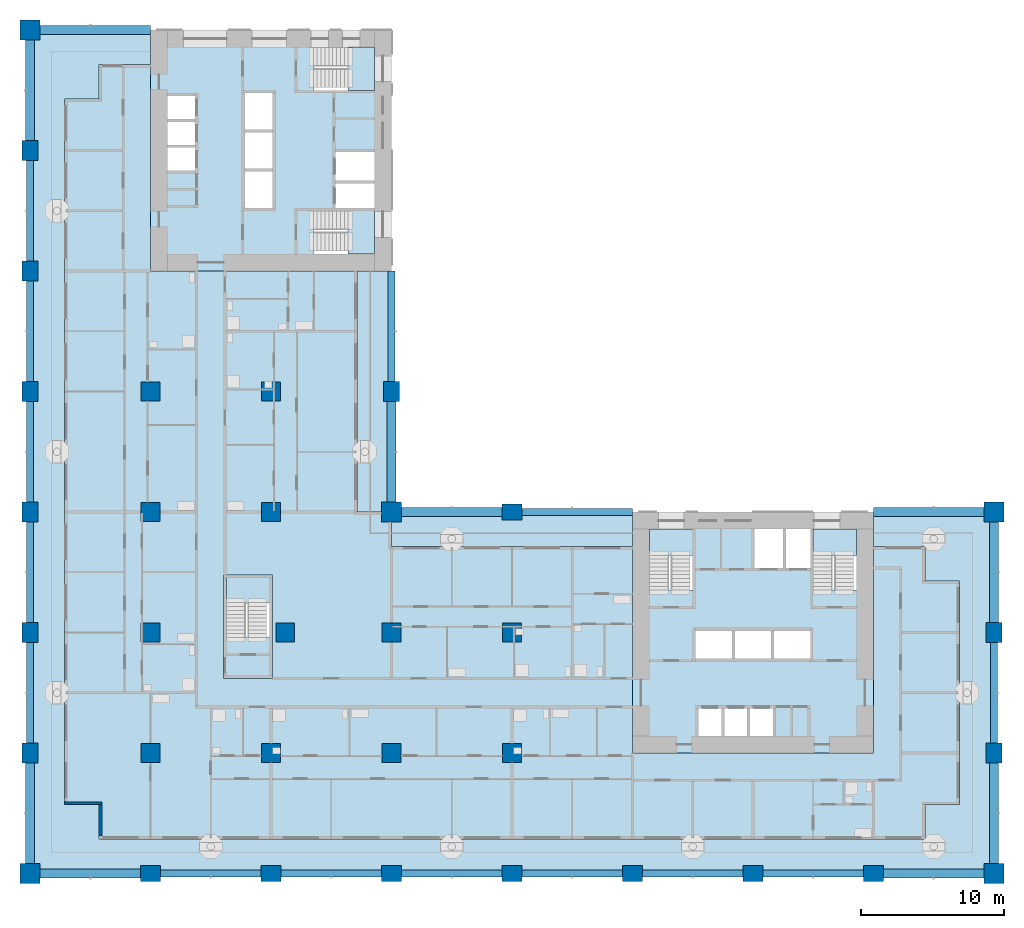
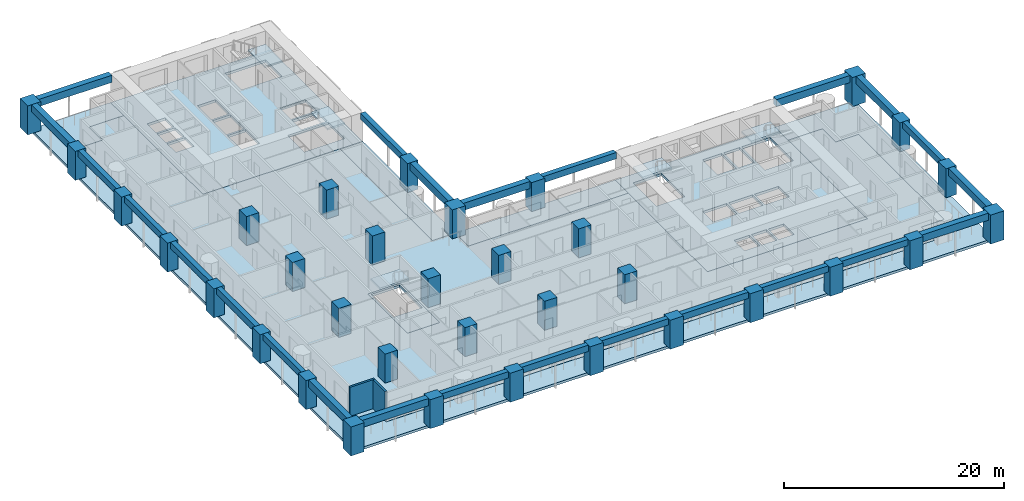
# One storey, part 1 of 20: 34 columns, 24 beams, 12 slabs, 2 walls, 5 elements without a shape of their own.
"""IFC4 building model written with IfcOpenShell, lengths in metres."""

from ifc_helpers import new_model, si_unit, direction, frame, frame_2d, origin, origin_2d, place, context, subcontext, project, spatial, polyline, rectangle, outline, extrude, material, layer, layer_set, material_profile, profile_set, type_object, element, aggregate, save


model = new_model("IFC4")

# Units and contexts
model_context = context("Model", 3, precision=1e-05, world=origin(), true_north=direction((0.0, 1.0)))
body_context = subcontext(model_context, "Body", "Model", "MODEL_VIEW")
ifc_project = project(units=[si_unit("LENGTHUNIT", "METRE"), si_unit("AREAUNIT", "SQUARE_METRE"), si_unit("VOLUMEUNIT", "CUBIC_METRE"), si_unit("PLANEANGLEUNIT", "RADIAN"), si_unit("MASSUNIT", "GRAM", prefix="KILO")], contexts=[model_context])

# Site, building, storey
site_placement = place(None, origin())
site = spatial("IfcSite", under=ifc_project, at=site_placement, CompositionType="ELEMENT")
building_placement = place(site_placement, origin())
building = spatial("IfcBuilding", under=site, at=building_placement, Name="Vermilion Gate Residences", CompositionType="ELEMENT")
storey_placement = place(building_placement, frame((0.0, 0.0, 39.199951171875)))
storey = spatial("IfcBuildingStorey", under=building, at=storey_placement, Name="L08", CompositionType="ELEMENT", Elevation=39.199951171875)

# Columns
ifc_material_1 = material(Name="Concrete C80", Category="concrete")
ifc_material_profile_1 = material_profile(ifc_material_1, rectangle(XDim=1.300048828125, YDim=1.300048828125, at=origin_2d()), Name="RC-1300x1300")
ifc_profile_set_1 = profile_set([ifc_material_profile_1], Name="Concrete C80")
column_type_1 = type_object("IfcColumnType", Name="RC COLUMN 1300 X 1300 C80", PredefinedType="COLUMN", material=ifc_profile_set_1)
for number, where, z_axis, x_axis, name in (
    (1, (8.39990234375, 8.39990234375, 0.0), (0.0, 0.0, 1.0), (1.0, 0.0, 0.0), "Column 2-B L08"),
    (2, (8.39990234375, 16.800048828125, 0.0), (0.0, 0.0, 1.0), (1.0, 0.0, 0.0), "Column 2-C L08"),
    (3, (8.39990234375, 25.199951171875, 0.0), (0.0, 0.0, 1.0), (1.0, 0.0, 0.0), "Column 2-D L08"),
    (4, (8.39990234375, 33.60009765625, 0.0), (0.0, 0.0, 1.0), (1.0, 0.0, 0.0), "Column 2-E L08"),
    (5, (16.800048828125, 8.39990234375, 0.0), (0.0, 0.0, 1.0), (1.0, 0.0, 0.0), "Column 3-B L08"),
    (6, (17.800048828125, 16.800048828125, 0.0), (0.0, 0.0, 1.0), (1.0, 0.0, 0.0), "Column 3-C L08"),
    (7, (16.800048828125, 25.199951171875, 0.0), (0.0, 0.0, 1.0), (1.0, 0.0, 0.0), "Column 3-D L08"),
    (8, (16.800048828125, 33.60009765625, 0.0), (0.0, 0.0, 1.0), (1.0, 0.0, 0.0), "Column 3-E L08"),
    (9, (25.199951171875, 8.39990234375, 0.0), (0.0, 0.0, 1.0), (1.0, 0.0, 0.0), "Column 4-B L08"),
    (10, (25.199951171875, 16.800048828125, 0.0), (0.0, 0.0, 1.0), (1.0, 0.0, 0.0), "Column 4-C L08"),
    (11, (33.60009765625, 8.39990234375, 0.0), (0.0, 0.0, 1.0), (1.0, 0.0, 0.0), "Column 5-B L08"),
    (12, (33.60009765625, 16.800048828125, 0.0), (0.0, 0.0, 1.0), (1.0, 0.0, 0.0), "Column 5-C L08"),
):
    element("IfcColumn", number, at=place(storey_placement, frame(where, z_axis=z_axis, x_axis=x_axis)), inside=storey, type_object=column_type_1, Name=name, PredefinedType="COLUMN", context=body_context, shape_type="SweptSolid", body=[
        extrude(rectangle(XDim=1.300048828125, YDim=1.300048828125, at=origin_2d()), origin(), (0.0, 0.0, 1.0), 3.219970703125),
    ])
ifc_material_2 = material(Name="Concrete C80", Category="concrete")
ifc_material_profile_2 = material_profile(ifc_material_2, rectangle(XDim=1.39990234375, YDim=1.10009765625, at=origin_2d()), Name="RC-1400x1100")
ifc_profile_set_2 = profile_set([ifc_material_profile_2], Name="Concrete C80")
column_type_2 = type_object("IfcColumnType", Name="RC COLUMN 1400 X 1100 C80", PredefinedType="COLUMN", material=ifc_profile_set_2)
for number, where, z_axis, x_axis, name in (
    (13, (0.0, 8.39990234375, 0.0), (0.0, 0.0, 1.0), (0.0, 1.0, 0.0), "Column 1-B L08"),
    (14, (0.0, 16.800048828125, 0.0), (0.0, 0.0, 1.0), (0.0, 1.0, 0.0), "Column 1-C L08"),
    (15, (0.0, 25.199951171875, 0.0), (0.0, 0.0, 1.0), (0.0, 1.0, 0.0), "Column 1-D L08"),
    (16, (0.0, 33.60009765625, 0.0), (0.0, 0.0, 1.0), (0.0, 1.0, 0.0), "Column 1-E L08"),
    (17, (0.0, 42.0, 0.0), (0.0, 0.0, 1.0), (0.0, 1.0, 0.0), "Column 1-F L08"),
    (18, (0.0, 50.39990234375, 0.0), (0.0, 0.0, 1.0), (0.0, 1.0, 0.0), "Column 1-G L08"),
    (19, (8.39990234375, 0.0, 0.0), (0.0, 0.0, 1.0), (1.0, 0.0, 0.0), "Column 2-A L08"),
    (20, (16.800048828125, 0.0, 0.0), (0.0, 0.0, 1.0), (1.0, 0.0, 0.0), "Column 3-A L08"),
    (21, (25.199951171875, 0.0, 0.0), (0.0, 0.0, 1.0), (1.0, 0.0, 0.0), "Column 4-A L08"),
    (22, (25.199951171875, 33.60009765625, 0.0), (0.0, 0.0, 1.0), (0.0, 1.0, 0.0), "Column 4-E L08"),
    (23, (33.60009765625, 0.0, 0.0), (0.0, 0.0, 1.0), (1.0, 0.0, 0.0), "Column 5-A L08"),
    (24, (33.60009765625, 25.199951171875, 0.0), (0.0, 0.0, 1.0), (1.0, 0.0, 0.0), "Column 5-D L08"),
    (25, (42.0, 0.0, 0.0), (0.0, 0.0, 1.0), (1.0, 0.0, 0.0), "Column 6-A L08"),
    (26, (50.39990234375, 0.0, 0.0), (0.0, 0.0, 1.0), (1.0, 0.0, 0.0), "Column 7-A L08"),
    (27, (58.800048828125, 0.0, 0.0), (0.0, 0.0, 1.0), (1.0, 0.0, 0.0), "Column 8-A L08"),
    (28, (67.199951171875, 8.39990234375, 0.0), (0.0, 0.0, 1.0), (0.0, 1.0, 0.0), "Column 9-B L08"),
    (29, (67.199951171875, 16.800048828125, 0.0), (0.0, 0.0, 1.0), (0.0, 1.0, 0.0), "Column 9-C L08"),
):
    element("IfcColumn", number, at=place(storey_placement, frame(where, z_axis=z_axis, x_axis=x_axis)), inside=storey, type_object=column_type_2, Name=name, PredefinedType="COLUMN", context=body_context, shape_type="SweptSolid", body=[
        extrude(rectangle(XDim=1.39990234375, YDim=1.10009765625, at=origin_2d()), origin(), (0.0, 0.0, 1.0), 3.219970703125),
    ])
ifc_material_3 = material(Name="Concrete C80", Category="concrete")
ifc_material_profile_3 = material_profile(ifc_material_3, rectangle(XDim=1.39990234375, YDim=1.39990234375, at=origin_2d()), Name="RC-1400x1400")
ifc_profile_set_3 = profile_set([ifc_material_profile_3], Name="Concrete C80")
column_type_3 = type_object("IfcColumnType", Name="RC COLUMN 1400 X 1400 C80", PredefinedType="COLUMN", material=ifc_profile_set_3)
for number, where, z_axis, x_axis, name in (
    (30, (0.0, 0.0, 0.0), (0.0, 0.0, 1.0), (1.0, 0.0, 0.0), "Column 1-A L08"),
    (31, (0.0, 58.800048828125, 0.0), (0.0, 0.0, 1.0), (1.0, 0.0, 0.0), "Column 1-H L08"),
    (32, (25.199951171875, 25.199951171875, 0.0), (0.0, 0.0, 1.0), (1.0, 0.0, 0.0), "Column 4-D L08"),
    (33, (67.199951171875, 0.0, 0.0), (0.0, 0.0, 1.0), (1.0, 0.0, 0.0), "Column 9-A L08"),
    (34, (67.199951171875, 25.199951171875, 0.0), (0.0, 0.0, 1.0), (1.0, 0.0, 0.0), "Column 9-D L08"),
):
    element("IfcColumn", number, at=place(storey_placement, frame(where, z_axis=z_axis, x_axis=x_axis)), inside=storey, type_object=column_type_3, Name=name, PredefinedType="COLUMN", context=body_context, shape_type="SweptSolid", body=[
        extrude(rectangle(XDim=1.39990234375, YDim=1.39990234375, at=origin_2d()), origin(), (0.0, 0.0, 1.0), 3.219970703125),
    ])

# Beams
ifc_material_4 = material(Name="Concrete C60 red-oxide pigmented", Category="concrete")
ifc_material_profile_4 = material_profile(ifc_material_4, rectangle(XDim=0.60009765625, YDim=0.800048828125, at=origin_2d()), Name="RC-600x800")
ifc_profile_set_4 = profile_set([ifc_material_profile_4], Name="Concrete C60 red-oxide pigmented")
beam_type_1 = type_object("IfcBeamType", Name="RC CORNER EDGE BEAM 600 X 800 C60", PredefinedType="BEAM", material=ifc_profile_set_4)
for number, where, z_axis, x_axis, name in (
    (35, (0.699951171875, 0.0, 2.820068359375), (1.0, 0.0, 0.0), (0.0, 1.0, 0.0), "Corner edge beam L08 1"),
    (36, (0.0, 0.699951171875, 2.820068359375), (0.0, 1.0, 0.0), (-1.0, 0.0, 0.0), "Corner edge beam L08 2"),
):
    element("IfcBeam", number, at=place(storey_placement, frame(where, z_axis=z_axis, x_axis=x_axis)), inside=storey, type_object=beam_type_1, Name=name, PredefinedType="BEAM", context=body_context, shape_type="SweptSolid", body=[
        extrude(rectangle(XDim=0.60009765625, YDim=0.800048828125, at=origin_2d()), origin(), (0.0, 0.0, 1.0), 7.0),
    ])
beam_1_placement = place(storey_placement, frame((0.699951171875, 58.800048828125, 2.820068359375), z_axis=(1.0, 0.0, 0.0), x_axis=(0.0, 1.0, 0.0)))
element("IfcBeam", 37, at=beam_1_placement, inside=storey, type_object=beam_type_1, Name="Corner edge beam L08 8", PredefinedType="BEAM", context=body_context, shape_type="SweptSolid", body=[
    extrude(rectangle(XDim=0.60009765625, YDim=0.800048828125, at=origin_2d()), origin(), (0.0, 0.0, 1.0), 7.699951171875),
])
for number, where, z_axis, x_axis, name in (
    (38, (0.0, 51.10009765625, 2.820068359375), (0.0, 1.0, 0.0), (-1.0, 0.0, 0.0), "Corner edge beam L08 9"),
    (39, (25.199951171875, 25.89990234375, 2.820068359375), (0.0, 1.0, 0.0), (-1.0, 0.0, 0.0), "Corner edge beam L08 12"),
    (40, (25.89990234375, 25.199951171875, 2.820068359375), (1.0, 0.0, 0.0), (0.0, 1.0, 0.0), "Corner edge beam L08 15"),
    (41, (59.5, 0.0, 2.820068359375), (1.0, 0.0, 0.0), (0.0, 1.0, 0.0), "Corner edge beam L08 20"),
    (42, (67.199951171875, 0.699951171875, 2.820068359375), (0.0, 1.0, 0.0), (-1.0, 0.0, 0.0), "Corner edge beam L08 21"),
    (43, (67.199951171875, 17.5, 2.820068359375), (0.0, 1.0, 0.0), (-1.0, 0.0, 0.0), "Corner edge beam L08 23"),
):
    element("IfcBeam", number, at=place(storey_placement, frame(where, z_axis=z_axis, x_axis=x_axis)), inside=storey, type_object=beam_type_1, Name=name, PredefinedType="BEAM", context=body_context, shape_type="SweptSolid", body=[
        extrude(rectangle(XDim=0.60009765625, YDim=0.800048828125, at=origin_2d()), origin(), (0.0, 0.0, 1.0), 7.0),
    ])
beam_2_placement = place(storey_placement, frame((58.800048828125, 25.199951171875, 2.820068359375), z_axis=(1.0, 0.0, 0.0), x_axis=(0.0, 1.0, 0.0)))
element("IfcBeam", 44, at=beam_2_placement, inside=storey, type_object=beam_type_1, Name="Corner edge beam L08 24", PredefinedType="BEAM", context=body_context, shape_type="SweptSolid", body=[
    extrude(rectangle(XDim=0.60009765625, YDim=0.800048828125, at=origin_2d()), origin(), (0.0, 0.0, 1.0), 7.699951171875),
])
ifc_material_5 = material(Name="Concrete C60 red-oxide pigmented", Category="concrete")
ifc_material_profile_5 = material_profile(ifc_material_5, rectangle(XDim=0.5, YDim=0.699951171875, at=origin_2d()), Name="RC-500x700")
ifc_profile_set_5 = profile_set([ifc_material_profile_5], Name="Concrete C60 red-oxide pigmented")
beam_type_2 = type_object("IfcBeamType", Name="RC EDGE BEAM 500 X 700 C60", PredefinedType="BEAM", material=ifc_profile_set_5)
for number, where, z_axis, x_axis, name in (
    (45, (0.0, 9.10009765625, 2.8701171875), (0.0, 1.0, 0.0), (-1.0, 0.0, 0.0), "Edge beam L08 3"),
    (46, (0.0, 17.5, 2.8701171875), (0.0, 1.0, 0.0), (-1.0, 0.0, 0.0), "Edge beam L08 4"),
    (47, (0.0, 25.89990234375, 2.8701171875), (0.0, 1.0, 0.0), (-1.0, 0.0, 0.0), "Edge beam L08 5"),
    (48, (0.0, 34.300048828125, 2.8701171875), (0.0, 1.0, 0.0), (-1.0, 0.0, 0.0), "Edge beam L08 6"),
    (49, (0.0, 42.699951171875, 2.8701171875), (0.0, 1.0, 0.0), (-1.0, 0.0, 0.0), "Edge beam L08 7"),
    (50, (9.10009765625, 0.0, 2.8701171875), (1.0, 0.0, 0.0), (0.0, 1.0, 0.0), "Edge beam L08 10"),
    (51, (17.5, 0.0, 2.8701171875), (1.0, 0.0, 0.0), (0.0, 1.0, 0.0), "Edge beam L08 11"),
):
    element("IfcBeam", number, at=place(storey_placement, frame(where, z_axis=z_axis, x_axis=x_axis)), inside=storey, type_object=beam_type_2, Name=name, PredefinedType="BEAM", context=body_context, shape_type="SweptSolid", body=[
        extrude(rectangle(XDim=0.5, YDim=0.699951171875, at=origin_2d()), origin(), (0.0, 0.0, 1.0), 7.0),
    ])
beam_3_placement = place(storey_placement, frame((25.199951171875, 34.300048828125, 2.8701171875), z_axis=(0.0, 1.0, 0.0), x_axis=(-1.0, 0.0, 0.0)))
element("IfcBeam", 52, at=beam_3_placement, inside=storey, type_object=beam_type_2, Name="Edge beam L08 13", PredefinedType="BEAM", context=body_context, shape_type="SweptSolid", body=[
    extrude(rectangle(XDim=0.5, YDim=0.699951171875, at=origin_2d()), origin(), (0.0, 0.0, 1.0), 7.699951171875),
])
for number, where, z_axis, x_axis, name in (
    (53, (25.89990234375, 0.0, 2.8701171875), (1.0, 0.0, 0.0), (0.0, 1.0, 0.0), "Edge beam L08 14"),
    (54, (34.300048828125, 0.0, 2.8701171875), (1.0, 0.0, 0.0), (0.0, 1.0, 0.0), "Edge beam L08 16"),
):
    element("IfcBeam", number, at=place(storey_placement, frame(where, z_axis=z_axis, x_axis=x_axis)), inside=storey, type_object=beam_type_2, Name=name, PredefinedType="BEAM", context=body_context, shape_type="SweptSolid", body=[
        extrude(rectangle(XDim=0.5, YDim=0.699951171875, at=origin_2d()), origin(), (0.0, 0.0, 1.0), 7.0),
    ])
beam_4_placement = place(storey_placement, frame((34.300048828125, 25.199951171875, 2.8701171875), z_axis=(1.0, 0.0, 0.0), x_axis=(0.0, 1.0, 0.0)))
element("IfcBeam", 55, at=beam_4_placement, inside=storey, type_object=beam_type_2, Name="Edge beam L08 17", PredefinedType="BEAM", context=body_context, shape_type="SweptSolid", body=[
    extrude(rectangle(XDim=0.5, YDim=0.699951171875, at=origin_2d()), origin(), (0.0, 0.0, 1.0), 7.699951171875),
])
for number, where, z_axis, x_axis, name in (
    (56, (42.699951171875, 0.0, 2.8701171875), (1.0, 0.0, 0.0), (0.0, 1.0, 0.0), "Edge beam L08 18"),
    (57, (51.10009765625, 0.0, 2.8701171875), (1.0, 0.0, 0.0), (0.0, 1.0, 0.0), "Edge beam L08 19"),
    (58, (67.199951171875, 9.10009765625, 2.8701171875), (0.0, 1.0, 0.0), (-1.0, 0.0, 0.0), "Edge beam L08 22"),
):
    element("IfcBeam", number, at=place(storey_placement, frame(where, z_axis=z_axis, x_axis=x_axis)), inside=storey, type_object=beam_type_2, Name=name, PredefinedType="BEAM", context=body_context, shape_type="SweptSolid", body=[
        extrude(rectangle(XDim=0.5, YDim=0.699951171875, at=origin_2d()), origin(), (0.0, 0.0, 1.0), 7.0),
    ])

# Slabs
ifc_material_6 = material(Name="Concrete C50", Category="concrete")
ifc_layer_1 = layer(ifc_material_6, 0.280029296875)
ifc_layer_set_1 = layer_set([ifc_layer_1], Name="RC CORE FLOOR SLAB 280 C50")
slab_type_1 = type_object("IfcSlabType", Name="RC CORE FLOOR SLAB 280 C50", PredefinedType="FLOOR", material=ifc_layer_set_1)
slab_1_placement = place(storey_placement, frame((0.0, 0.0, -0.280029296875)))
element("IfcSlab", 59, at=slab_1_placement, inside=storey, type_object=slab_type_1, Name="Core floor slab A08", PredefinedType="FLOOR", context=body_context, shape_type="SweptSolid", body=[
    extrude(outline(polyline([(42.0, 8.39990234375), (58.800048828125, 8.39990234375), (58.800048828125, 25.199951171875), (42.0, 25.199951171875), (42.0, 8.39990234375)]), holes=[polyline([(46.60009765625, 11.5), (48.199951171875, 11.5), (48.199951171875, 9.60009765625), (46.60009765625, 9.60009765625), (46.60009765625, 11.5)]), polyline([(48.39990234375, 11.5), (50.0, 11.5), (50.0, 9.60009765625), (48.39990234375, 9.60009765625), (48.39990234375, 11.5)]), polyline([(50.199951171875, 11.5), (51.800048828125, 11.5), (51.800048828125, 9.60009765625), (50.199951171875, 9.60009765625), (50.199951171875, 11.5)]), polyline([(48.933349609375, 16.89990234375), (48.933349609375, 15.0), (46.39990234375, 15.0), (46.39990234375, 16.89990234375), (48.933349609375, 16.89990234375)]), polyline([(51.666748046875, 16.89990234375), (51.666748046875, 15.0), (49.13330078125, 15.0), (49.13330078125, 16.89990234375), (51.666748046875, 16.89990234375)]), polyline([(51.86669921875, 16.89990234375), (54.39990234375, 16.89990234375), (54.39990234375, 15.0), (51.86669921875, 15.0), (51.86669921875, 16.89990234375)]), polyline([(43.199951171875, 24.0), (46.199951171875, 24.0), (46.199951171875, 19.75), (43.199951171875, 19.75), (43.199951171875, 24.0)]), polyline([(54.60009765625, 24.0), (57.60009765625, 24.0), (57.60009765625, 19.75), (54.60009765625, 19.75), (54.60009765625, 24.0)]), polyline([(52.5, 24.0), (52.5, 21.300048828125), (50.5, 21.300048828125), (50.5, 24.0), (52.5, 24.0)]), polyline([(54.39990234375, 24.0), (54.39990234375, 21.300048828125), (52.699951171875, 21.300048828125), (52.699951171875, 24.0), (54.39990234375, 24.0)])]), origin(), (0.0, 0.0, 1.0), 0.280029296875),
])
slab_2_placement = place(storey_placement, frame((0.0, 0.0, -0.280029296875)))
element("IfcSlab", 60, at=slab_2_placement, inside=storey, type_object=slab_type_1, Name="Core floor slab B08", PredefinedType="FLOOR", context=body_context, shape_type="SweptSolid", body=[
    extrude(outline(polyline([(8.39990234375, 42.0), (25.199951171875, 42.0), (25.199951171875, 58.800048828125), (8.39990234375, 58.800048828125), (8.39990234375, 42.0)]), holes=[polyline([(19.75, 46.199951171875), (24.0, 46.199951171875), (24.0, 43.199951171875), (19.75, 43.199951171875), (19.75, 46.199951171875)]), polyline([(21.300048828125, 48.10009765625), (24.0, 48.10009765625), (24.0, 46.39990234375), (21.300048828125, 46.39990234375), (21.300048828125, 48.10009765625)]), polyline([(15.0, 48.933349609375), (16.89990234375, 48.933349609375), (16.89990234375, 46.39990234375), (15.0, 46.39990234375), (15.0, 48.933349609375)]), polyline([(24.0, 50.300048828125), (24.0, 48.300048828125), (21.300048828125, 48.300048828125), (21.300048828125, 50.300048828125), (24.0, 50.300048828125)]), polyline([(11.5, 50.60009765625), (11.5, 49.0), (9.60009765625, 49.0), (9.60009765625, 50.60009765625), (11.5, 50.60009765625)]), polyline([(15.0, 51.666748046875), (16.89990234375, 51.666748046875), (16.89990234375, 49.13330078125), (15.0, 49.13330078125), (15.0, 51.666748046875)]), polyline([(9.60009765625, 52.39990234375), (11.5, 52.39990234375), (11.5, 50.800048828125), (9.60009765625, 50.800048828125), (9.60009765625, 52.39990234375)]), polyline([(15.0, 54.39990234375), (16.89990234375, 54.39990234375), (16.89990234375, 51.86669921875), (15.0, 51.86669921875), (15.0, 54.39990234375)]), polyline([(11.5, 54.199951171875), (11.5, 52.60009765625), (9.60009765625, 52.60009765625), (9.60009765625, 54.199951171875), (11.5, 54.199951171875)]), polyline([(24.0, 57.60009765625), (24.0, 54.60009765625), (19.75, 54.60009765625), (19.75, 57.60009765625), (24.0, 57.60009765625)])]), origin(), (0.0, 0.0, 1.0), 0.280029296875),
])
slab_3_placement = place(storey_placement, frame((0.0, 0.0, -0.280029296875)))
element("IfcSlab", 61, at=slab_3_placement, inside=storey, type_object=slab_type_1, Name="Apex stair floor slab 08", PredefinedType="FLOOR", context=body_context, shape_type="SweptSolid", body=[
    extrude(outline(polyline([(13.5, 13.60009765625), (16.89990234375, 13.60009765625), (16.89990234375, 20.800048828125), (13.5, 20.800048828125), (13.5, 13.60009765625)]), holes=[polyline([(16.699951171875, 20.60009765625), (16.699951171875, 16.449951171875), (13.699951171875, 16.449951171875), (13.699951171875, 20.60009765625), (16.699951171875, 20.60009765625)])]), origin(), (0.0, 0.0, 1.0), 0.280029296875),
])
ifc_material_7 = material(Name="Concrete C50", Category="concrete")
ifc_layer_2 = layer(ifc_material_7, 0.280029296875)
ifc_layer_set_2 = layer_set([ifc_layer_2], Name="RC FLAT PLATE 280 C50")
slab_type_2 = type_object("IfcSlabType", Name="RC FLAT PLATE 280 C50", PredefinedType="FLOOR", material=ifc_layer_set_2)
slab_4_placement = place(storey_placement, frame((0.0, 0.0, -0.280029296875)))
element("IfcSlab", 62, at=slab_4_placement, inside=storey, type_object=slab_type_2, Name="Floor slab L08", PredefinedType="FLOOR", context=body_context, shape_type="SweptSolid", body=[
    extrude(outline(polyline([(22.800048828125, 25.199951171875), (22.800048828125, 42.0), (8.39990234375, 42.0), (8.39990234375, 56.39990234375), (4.800048828125, 56.39990234375), (4.800048828125, 54.0), (2.39990234375, 54.0), (2.39990234375, 4.800048828125), (4.800048828125, 4.800048828125), (4.800048828125, 2.39990234375), (62.39990234375, 2.39990234375), (62.39990234375, 4.800048828125), (64.800048828125, 4.800048828125), (64.800048828125, 20.39990234375), (62.39990234375, 20.39990234375), (62.39990234375, 22.800048828125), (58.800048828125, 22.800048828125), (58.800048828125, 8.39990234375), (42.0, 8.39990234375), (42.0, 22.800048828125), (25.199951171875, 22.800048828125), (25.199951171875, 25.199951171875), (22.800048828125, 25.199951171875)]), holes=[polyline([(13.5, 13.60009765625), (13.5, 20.800048828125), (16.89990234375, 20.800048828125), (16.89990234375, 13.60009765625), (13.5, 13.60009765625)])]), origin(), (0.0, 0.0, 1.0), 0.280029296875),
])
ifc_material_8 = material(Name="Concrete C50 red-oxide pigmented", Category="concrete")
ifc_layer_3 = layer(ifc_material_8, 0.280029296875)
ifc_layer_set_3 = layer_set([ifc_layer_3], Name="RC LOGGIA SLAB 280 C50")
slab_type_3 = type_object("IfcSlabType", Name="RC LOGGIA SLAB 280 C50", PredefinedType="FLOOR", material=ifc_layer_set_3)
slab_5_placement = place(storey_placement, frame((0.0, 0.0, -0.280029296875)))
element("IfcSlab", 63, at=slab_5_placement, inside=storey, type_object=slab_type_3, Name="Loggia slab L08", PredefinedType="FLOOR", context=body_context, shape_type="SweptSolid", body=[
    extrude(outline(polyline([(0.0, 58.800048828125), (0.0, 0.0), (67.199951171875, 0.0), (67.199951171875, 25.199951171875), (58.800048828125, 25.199951171875), (58.800048828125, 22.800048828125), (62.39990234375, 22.800048828125), (62.39990234375, 20.39990234375), (64.800048828125, 20.39990234375), (64.800048828125, 4.800048828125), (62.39990234375, 4.800048828125), (62.39990234375, 2.39990234375), (4.800048828125, 2.39990234375), (4.800048828125, 4.800048828125), (2.39990234375, 4.800048828125), (2.39990234375, 54.0), (4.800048828125, 54.0), (4.800048828125, 56.39990234375), (8.39990234375, 56.39990234375), (8.39990234375, 58.800048828125), (0.0, 58.800048828125)])), origin(), (0.0, 0.0, 1.0), 0.280029296875),
])
slab_6_placement = place(storey_placement, frame((0.0, 0.0, -0.280029296875)))
element("IfcSlab", 64, at=slab_6_placement, inside=storey, type_object=slab_type_3, Name="Loggia slab L08", PredefinedType="FLOOR", context=body_context, shape_type="SweptSolid", body=[
    extrude(outline(polyline([(25.199951171875, 22.800048828125), (42.0, 22.800048828125), (42.0, 25.199951171875), (25.199951171875, 25.199951171875), (25.199951171875, 22.800048828125)])), origin(), (0.0, 0.0, 1.0), 0.280029296875),
])
slab_7_placement = place(storey_placement, frame((0.0, 0.0, -0.280029296875)))
element("IfcSlab", 65, at=slab_7_placement, inside=storey, type_object=slab_type_3, Name="Loggia slab L08", PredefinedType="FLOOR", context=body_context, shape_type="SweptSolid", body=[
    extrude(outline(polyline([(22.800048828125, 42.0), (22.800048828125, 25.199951171875), (25.199951171875, 25.199951171875), (25.199951171875, 42.0), (22.800048828125, 42.0)])), origin(), (0.0, 0.0, 1.0), 0.280029296875),
])

# Stair, slab
ifc_material_9 = material(Name="Concrete C50", Category="concrete")
stair_type = type_object("IfcStairType", Name="SPECIAL ESCAPE STAIR 1300", PredefinedType="HALF_TURN_STAIR", material=ifc_material_9)
stair_1_placement = place(storey_placement, origin())
stair_1 = element("IfcStair", 66, at=stair_1_placement, inside=storey, type_object=stair_type, Name="Special escape stair STA1-08", PredefinedType="HALF_TURN_STAIR")
ifc_material_10 = material(Name="Concrete C50", Category="concrete")
ifc_layer_4 = layer(ifc_material_10, 0.199951171875)
ifc_layer_set_4 = layer_set([ifc_layer_4], Name="STAIR LANDING 200 C50")
slab_type_4 = type_object("IfcSlabType", Name="STAIR LANDING 200 C50", PredefinedType="LANDING", material=ifc_layer_set_4)
slab_8_placement = place(storey_placement, frame((0.0, 0.0, 1.550048828125)))
slab_8 = element("IfcSlab", 67, at=slab_8_placement, type_object=slab_type_4, Name="STA1-08 landing 1", PredefinedType="LANDING", context=body_context, shape_type="SweptSolid", body=[
    extrude(outline(polyline([(46.219970703125, 22.179931640625), (46.219970703125, 24.02001953125), (43.179931640625, 24.02001953125), (43.179931640625, 22.179931640625), (46.219970703125, 22.179931640625)])), origin(), (0.0, 0.0, 1.0), 0.199951171875),
])
aggregate(stair_1, [slab_8])

stair_2_placement = place(storey_placement, origin())
stair_2 = element("IfcStair", 68, at=stair_2_placement, inside=storey, type_object=stair_type, Name="Special escape stair STA2-08", PredefinedType="HALF_TURN_STAIR")
slab_9_placement = place(storey_placement, frame((0.0, 0.0, 1.550048828125)))
slab_9 = element("IfcSlab", 69, at=slab_9_placement, type_object=slab_type_4, Name="STA2-08 landing 1", PredefinedType="LANDING", context=body_context, shape_type="SweptSolid", body=[
    extrude(outline(polyline([(57.6201171875, 22.179931640625), (57.6201171875, 24.02001953125), (54.580078125, 24.02001953125), (54.580078125, 22.179931640625), (57.6201171875, 22.179931640625)])), origin(), (0.0, 0.0, 1.0), 0.199951171875),
])
aggregate(stair_2, [slab_9])

stair_3_placement = place(storey_placement, origin())
stair_3 = element("IfcStair", 70, at=stair_3_placement, inside=storey, type_object=stair_type, Name="Special escape stair STB1-08", PredefinedType="HALF_TURN_STAIR")
slab_10_placement = place(storey_placement, frame((0.0, 0.0, 1.550048828125)))
slab_10 = element("IfcSlab", 71, at=slab_10_placement, type_object=slab_type_4, Name="STB1-08 landing 1", PredefinedType="LANDING", context=body_context, shape_type="SweptSolid", body=[
    extrude(outline(polyline([(24.02001953125, 54.580078125), (24.02001953125, 57.6201171875), (22.179931640625, 57.6201171875), (22.179931640625, 54.580078125), (24.02001953125, 54.580078125)])), origin(), (0.0, 0.0, 1.0), 0.199951171875),
])
aggregate(stair_3, [slab_10])

stair_4_placement = place(storey_placement, origin())
stair_4 = element("IfcStair", 72, at=stair_4_placement, inside=storey, type_object=stair_type, Name="Special escape stair STB2-08", PredefinedType="HALF_TURN_STAIR")
slab_11_placement = place(storey_placement, frame((0.0, 0.0, 1.550048828125)))
slab_11 = element("IfcSlab", 73, at=slab_11_placement, type_object=slab_type_4, Name="STB2-08 landing 1", PredefinedType="LANDING", context=body_context, shape_type="SweptSolid", body=[
    extrude(outline(polyline([(24.02001953125, 43.179931640625), (24.02001953125, 46.219970703125), (22.179931640625, 46.219970703125), (22.179931640625, 43.179931640625), (24.02001953125, 43.179931640625)])), origin(), (0.0, 0.0, 1.0), 0.199951171875),
])
aggregate(stair_4, [slab_11])

stair_5_placement = place(storey_placement, origin())
stair_5 = element("IfcStair", 74, at=stair_5_placement, inside=storey, type_object=stair_type, Name="Special escape stair STC1-08", PredefinedType="HALF_TURN_STAIR")
slab_12_placement = place(storey_placement, frame((0.0, 0.0, 1.550048828125)))
slab_12 = element("IfcSlab", 75, at=slab_12_placement, type_object=slab_type_4, Name="STC1-08 landing 1", PredefinedType="LANDING", context=body_context, shape_type="SweptSolid", body=[
    extrude(outline(polyline([(16.719970703125, 18.8798828125), (16.719970703125, 20.6201171875), (13.679931640625, 20.6201171875), (13.679931640625, 18.8798828125), (16.719970703125, 18.8798828125)])), origin(), (0.0, 0.0, 1.0), 0.199951171875),
])
aggregate(stair_5, [slab_12])

# Walls
ifc_material_11 = material(Name="Insulated steel stud wall with terracotta rainscreen", Category="masonry")
ifc_layer_5 = layer(ifc_material_11, 0.199951171875)
ifc_layer_set_5 = layer_set([ifc_layer_5], Name="EXTERNAL WALL 200 TERRACOTTA RAINSCREEN")
wall_type = type_object("IfcWallType", Name="EXTERNAL WALL 200 TERRACOTTA RAINSCREEN", PredefinedType="SOLIDWALL", material=ifc_layer_set_5)
wall_1_placement = place(storey_placement, frame((2.39990234375, 4.89990234375, 0.0), z_axis=(0.0, 0.0, 1.0), x_axis=(1.0, 0.0, 0.0)))
element("IfcWall", 76, at=wall_1_placement, inside=storey, type_object=wall_type, Name="External wall", PredefinedType="SOLIDWALL", context=body_context, shape_type="SweptSolid", body=[
    extrude(rectangle(XDim=2.60009765625, YDim=0.199951171875, at=frame_2d((1.300048828125, 0.0))), origin(), (0.0, 0.0, 1.0), 3.219970703125),
])
wall_2_placement = place(storey_placement, frame((4.89990234375, 4.800048828125, 0.0), z_axis=(0.0, 0.0, 1.0), x_axis=(0.0, -1.0, 0.0)))
element("IfcWall", 77, at=wall_2_placement, inside=storey, type_object=wall_type, Name="External wall", PredefinedType="SOLIDWALL", context=body_context, shape_type="SweptSolid", body=[
    extrude(rectangle(XDim=2.199951171875, YDim=0.199951171875, at=frame_2d((1.10009765625, 0.0))), origin(), (0.0, 0.0, 1.0), 3.219970703125),
])

save(model, "model.ifc")
